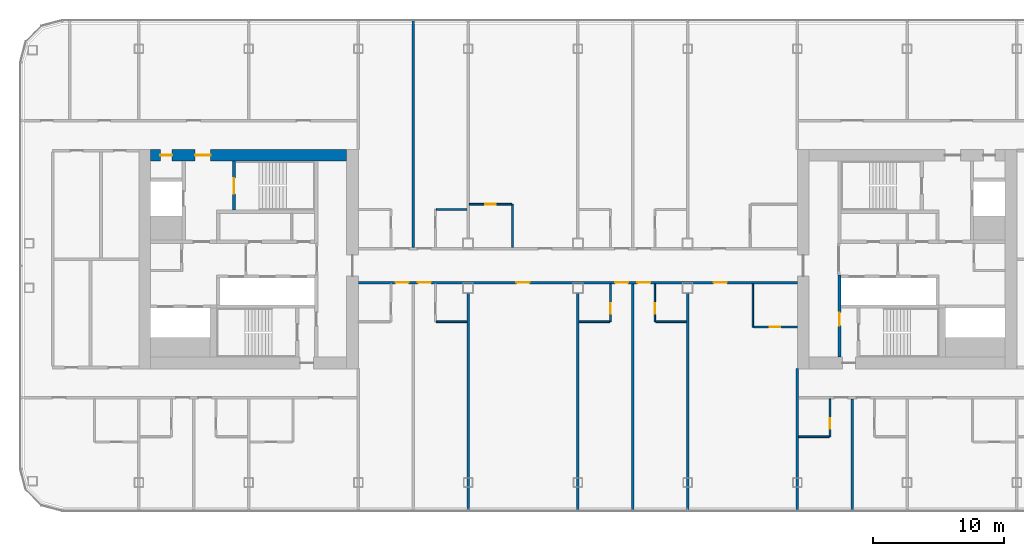
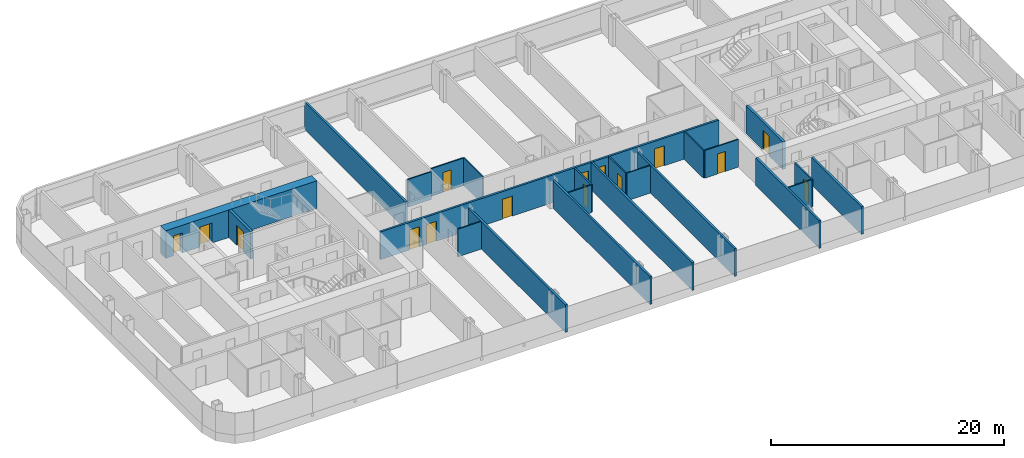
# One storey, part 14 of 26: 23 walls, 15 doors, 15 openings.
"""IFC4 building model written with IfcOpenShell, lengths in metres."""

from ifc_helpers import new_model, si_unit, direction, frame, frame_2d, origin, place, context, subcontext, project, spatial, rectangle, extrude, material, layer, layer_set, type_object, element, fill, save


model = new_model("IFC4")

# Units and contexts
model_context = context("Model", 3, precision=1e-05, world=origin(), true_north=direction((0.0, 1.0)))
body_context = subcontext(model_context, "Body", "Model", "MODEL_VIEW")
ifc_project = project(units=[si_unit("LENGTHUNIT", "METRE"), si_unit("AREAUNIT", "SQUARE_METRE"), si_unit("VOLUMEUNIT", "CUBIC_METRE"), si_unit("PLANEANGLEUNIT", "RADIAN"), si_unit("MASSUNIT", "GRAM", prefix="KILO")], contexts=[model_context])

# Site, building, storey
site_placement = place(None, origin())
site = spatial("IfcSite", under=ifc_project, at=site_placement, CompositionType="ELEMENT")
building_placement = place(site_placement, origin())
building = spatial("IfcBuilding", under=site, at=building_placement, Name="Hakoniwa Tower and Hamabe Station Hall", CompositionType="ELEMENT")
storey_placement = place(building_placement, frame((0.0, 0.0, 172.60009765625)))
storey = spatial("IfcBuildingStorey", under=building, at=storey_placement, Name="L49", CompositionType="ELEMENT", Elevation=172.60009765625)

# Wall
ifc_material_1 = material(Name="Gypsum board partition", Category="gypsum")
ifc_layer_1 = layer(ifc_material_1, 0.125)
ifc_layer_set_1 = layer_set([ifc_layer_1], Name="Bathroom Partition 125")
wall_type_1 = type_object("IfcWallType", Name="Bathroom Partition 125", PredefinedType="PARTITIONING", material=ifc_layer_set_1)
wall_1_placement = place(storey_placement, frame((16.89990234375, -13.60009765625, 0.0), z_axis=(0.0, 0.0, 1.0), x_axis=(1.0, 0.0, 0.0)))
element("IfcWall", 1, at=wall_1_placement, inside=storey, type_object=wall_type_1, Name="GW-L49-006", PredefinedType="PARTITIONING", context=body_context, shape_type="SweptSolid", body=[
    extrude(rectangle(XDim=2.337646484375, YDim=0.125, at=frame_2d((1.1689453125, 0.0))), origin(), (0.0, 0.0, 1.0), 2.89990234375),
])

# Wall, opening, door
wall_2_placement = place(storey_placement, frame((13.46240234375, -5.199951171875, 0.0), z_axis=(0.0, 0.0, 1.0), x_axis=(1.0, 0.0, 0.0)))
wall_2 = element("IfcWall", 2, at=wall_2_placement, inside=storey, type_object=wall_type_1, Name="GW-L49-014", PredefinedType="PARTITIONING", context=body_context, shape_type="SweptSolid", body=[
    extrude(rectangle(XDim=3.34765625, YDim=0.125, at=frame_2d((1.673828125, 0.0))), origin(), (0.0, 0.0, 1.0), 2.89990234375),
])
opening_1_placement = place(wall_2_placement, frame((1.237548828125, 0.0, 0.0)))
opening_1 = element("IfcOpeningElement", 3, at=opening_1_placement, cuts=wall_2, Name="Opening GD-G3D2-17", PredefinedType="OPENING", context=body_context, shape_type="SweptSolid", body=[
    extrude(rectangle(XDim=0.800048828125, YDim=2.10009765625, at=frame_2d((0.39990234375, 1.050048828125))), frame((0.0, 0.072509765625, 0.0), z_axis=(0.0, -1.0, 0.0), x_axis=(1.0, 0.0, 0.0)), (0.0, 0.0, 1.0), 0.14501953125),
])
ifc_material_2 = material(Name="Timber door leaf", Category="wood")
door_type_1 = type_object("IfcDoorType", Name="Bathroom Door 800", OperationType="SINGLE_SWING_LEFT", PredefinedType="DOOR", material=ifc_material_2)
door_1_placement = place(opening_1_placement, origin())
door_1 = element("IfcDoor", 4, at=door_1_placement, inside=storey, type_object=door_type_1, Name="Door GD-G3D2-17", OperationType="SINGLE_SWING_RIGHT", OverallHeight=2.10009765625, OverallWidth=0.800048828125, PredefinedType="DOOR", context=body_context, shape_type="SweptSolid", body=[
    extrude(rectangle(XDim=0.800048828125, YDim=2.10009765625, at=frame_2d((0.39990234375, 1.050048828125))), frame((0.0, 0.02490234375, 0.0), z_axis=(0.0, -1.0, 0.0), x_axis=(1.0, 0.0, 0.0)), (0.0, 0.0, 1.0), 0.050048828125),
])
fill(opening_1, door_1)

# Walls
for number, where, z_axis, x_axis, name in (
    (5, (-10.83740234375, -4.800048828125, 0.0), (0.0, 0.0, 1.0), (1.0, 0.0, 0.0), "GW-L49-016"),
    (6, (0.10009765625, -4.800048828125, 0.0), (0.0, 0.0, 1.0), (1.0, 0.0, 0.0), "GW-L49-017"),
):
    element("IfcWall", number, at=place(storey_placement, frame(where, z_axis=z_axis, x_axis=x_axis)), inside=storey, type_object=wall_type_1, Name=name, PredefinedType="PARTITIONING", context=body_context, shape_type="SweptSolid", body=[
        extrude(rectangle(XDim=2.33740234375, YDim=0.125, at=frame_2d((1.168701171875, 0.0))), origin(), (0.0, 0.0, 1.0), 2.89990234375),
    ])
wall_3_placement = place(storey_placement, frame((5.96240234375, -4.800048828125, 0.0), z_axis=(0.0, 0.0, 1.0), x_axis=(1.0, 0.0, 0.0)))
element("IfcWall", 7, at=wall_3_placement, inside=storey, type_object=wall_type_1, Name="GW-L49-018", PredefinedType="PARTITIONING", context=body_context, shape_type="SweptSolid", body=[
    extrude(rectangle(XDim=2.337646484375, YDim=0.125, at=frame_2d((1.1689453125, 0.0))), origin(), (0.0, 0.0, 1.0), 2.89990234375),
])
wall_4_placement = place(storey_placement, frame((-10.83740234375, 3.800048828125, 0.0), z_axis=(0.0, 0.0, 1.0), x_axis=(1.0, 0.0, 0.0)))
element("IfcWall", 8, at=wall_4_placement, inside=storey, type_object=wall_type_1, Name="GW-L49-024", PredefinedType="PARTITIONING", context=body_context, shape_type="SweptSolid", body=[
    extrude(rectangle(XDim=2.33740234375, YDim=0.125, at=frame_2d((1.168701171875, 0.0))), origin(), (0.0, 0.0, 1.0), 2.89990234375),
])

# Wall, opening, door
wall_5_placement = place(storey_placement, frame((-8.300048828125, 4.199951171875, 0.0), z_axis=(0.0, 0.0, 1.0), x_axis=(1.0, 0.0, 0.0)))
wall_5 = element("IfcWall", 9, at=wall_5_placement, inside=storey, type_object=wall_type_1, Name="GW-L49-027", PredefinedType="PARTITIONING", context=body_context, shape_type="SweptSolid", body=[
    extrude(rectangle(XDim=3.237548828125, YDim=0.125, at=frame_2d((1.61865234375, 0.0))), origin(), (0.0, 0.0, 1.0), 2.89990234375),
])
opening_2_placement = place(wall_5_placement, frame((1.199951171875, 0.0, 0.0)))
opening_2 = element("IfcOpeningElement", 10, at=opening_2_placement, cuts=wall_5, Name="Opening GD-G3D2-30", PredefinedType="OPENING", context=body_context, shape_type="SweptSolid", body=[
    extrude(rectangle(XDim=0.800048828125, YDim=2.10009765625, at=frame_2d((0.39990234375, 1.050048828125))), frame((0.0, 0.072509765625, 0.0), z_axis=(0.0, -1.0, 0.0), x_axis=(1.0, 0.0, 0.0)), (0.0, 0.0, 1.0), 0.14501953125),
])
door_2_placement = place(opening_2_placement, origin())
door_2 = element("IfcDoor", 11, at=door_2_placement, inside=storey, type_object=door_type_1, Name="Door GD-G3D2-30", OperationType="SINGLE_SWING_LEFT", OverallHeight=2.10009765625, OverallWidth=0.800048828125, PredefinedType="DOOR", context=body_context, shape_type="SweptSolid", body=[
    extrude(rectangle(XDim=0.800048828125, YDim=2.10009765625, at=frame_2d((0.39990234375, 1.050048828125))), frame((0.0, 0.02490234375, 0.0), z_axis=(0.0, -1.0, 0.0), x_axis=(1.0, 0.0, 0.0)), (0.0, 0.0, 1.0), 0.050048828125),
])
fill(opening_2, door_2)

# Wall
wall_6_placement = place(storey_placement, frame((-5.0, 0.89990234375, 0.0), z_axis=(0.0, 0.0, 1.0), x_axis=(0.0, 1.0, 0.0)))
element("IfcWall", 12, at=wall_6_placement, inside=storey, type_object=wall_type_1, Name="GW-L49-056", PredefinedType="PARTITIONING", context=body_context, shape_type="SweptSolid", body=[
    extrude(rectangle(XDim=3.300048828125, YDim=0.125, at=frame_2d((1.64990234375, 0.0))), origin(), (0.0, 0.0, 1.0), 2.89990234375),
])

# Wall, opening, door
wall_7_placement = place(storey_placement, frame((2.5, -4.800048828125, 0.0), z_axis=(0.0, 0.0, 1.0), x_axis=(0.0, 1.0, 0.0)))
wall_7 = element("IfcWall", 13, at=wall_7_placement, inside=storey, type_object=wall_type_1, Name="GW-L49-059", PredefinedType="PARTITIONING", context=body_context, shape_type="SweptSolid", body=[
    extrude(rectangle(XDim=2.900146484375, YDim=0.125, at=frame_2d((1.4501953125, 0.0))), origin(), (0.0, 0.0, 1.0), 2.89990234375),
])
opening_3_placement = place(wall_7_placement, frame((0.60009765625, 0.0, 0.0)))
opening_3 = element("IfcOpeningElement", 14, at=opening_3_placement, cuts=wall_7, Name="Opening GD-G3D2-48", PredefinedType="OPENING", context=body_context, shape_type="SweptSolid", body=[
    extrude(rectangle(XDim=0.800048828125, YDim=2.10009765625, at=frame_2d((0.39990234375, 1.050048828125))), frame((0.0, 0.072509765625, 0.0), z_axis=(0.0, -1.0, 0.0), x_axis=(1.0, 0.0, 0.0)), (0.0, 0.0, 1.0), 0.14501953125),
])
door_3_placement = place(opening_3_placement, origin())
door_3 = element("IfcDoor", 15, at=door_3_placement, inside=storey, type_object=door_type_1, Name="Door GD-G3D2-48", OperationType="SINGLE_SWING_RIGHT", OverallHeight=2.10009765625, OverallWidth=0.800048828125, PredefinedType="DOOR", context=body_context, shape_type="SweptSolid", body=[
    extrude(rectangle(XDim=0.800048828125, YDim=2.10009765625, at=frame_2d((0.39990234375, 1.050048828125))), frame((0.0, 0.02490234375, 0.0), z_axis=(0.0, -1.0, 0.0), x_axis=(1.0, 0.0, 0.0)), (0.0, 0.0, 1.0), 0.050048828125),
])
fill(opening_3, door_3)

wall_8_placement = place(storey_placement, frame((5.89990234375, -4.800048828125, 0.0), z_axis=(0.0, 0.0, 1.0), x_axis=(0.0, 1.0, 0.0)))
wall_8 = element("IfcWall", 16, at=wall_8_placement, inside=storey, type_object=wall_type_1, Name="GW-L49-063", PredefinedType="PARTITIONING", context=body_context, shape_type="SweptSolid", body=[
    extrude(rectangle(XDim=2.900146484375, YDim=0.125, at=frame_2d((1.4501953125, 0.0))), origin(), (0.0, 0.0, 1.0), 2.89990234375),
])
opening_4_placement = place(wall_8_placement, frame((0.60009765625, 0.0, 0.0)))
opening_4 = element("IfcOpeningElement", 17, at=opening_4_placement, cuts=wall_8, Name="Opening GD-G3D2-50", PredefinedType="OPENING", context=body_context, shape_type="SweptSolid", body=[
    extrude(rectangle(XDim=0.800048828125, YDim=2.10009765625, at=frame_2d((0.39990234375, 1.050048828125))), frame((0.0, 0.072509765625, 0.0), z_axis=(0.0, -1.0, 0.0), x_axis=(1.0, 0.0, 0.0)), (0.0, 0.0, 1.0), 0.14501953125),
])
door_4_placement = place(opening_4_placement, origin())
door_4 = element("IfcDoor", 18, at=door_4_placement, inside=storey, type_object=door_type_1, Name="Door GD-G3D2-50", OperationType="SINGLE_SWING_LEFT", OverallHeight=2.10009765625, OverallWidth=0.800048828125, PredefinedType="DOOR", context=body_context, shape_type="SweptSolid", body=[
    extrude(rectangle(XDim=0.800048828125, YDim=2.10009765625, at=frame_2d((0.39990234375, 1.050048828125))), frame((0.0, 0.02490234375, 0.0), z_axis=(0.0, -1.0, 0.0), x_axis=(1.0, 0.0, 0.0)), (0.0, 0.0, 1.0), 0.050048828125),
])
fill(opening_4, door_4)

# Wall
wall_9_placement = place(storey_placement, frame((13.39990234375, -5.199951171875, 0.0), z_axis=(0.0, 0.0, 1.0), x_axis=(0.0, 1.0, 0.0)))
element("IfcWall", 19, at=wall_9_placement, inside=storey, type_object=wall_type_1, Name="GW-L49-068", PredefinedType="PARTITIONING", context=body_context, shape_type="SweptSolid", body=[
    extrude(rectangle(XDim=3.300048828125, YDim=0.125, at=frame_2d((1.64990234375, 0.0))), origin(), (0.0, 0.0, 1.0), 2.89990234375),
])

# Wall, opening, door
wall_10_placement = place(storey_placement, frame((19.300048828125, -13.60009765625, 0.0), z_axis=(0.0, 0.0, 1.0), x_axis=(0.0, 1.0, 0.0)))
wall_10 = element("IfcWall", 20, at=wall_10_placement, inside=storey, type_object=wall_type_1, Name="GW-L49-071", PredefinedType="PARTITIONING", context=body_context, shape_type="SweptSolid", body=[
    extrude(rectangle(XDim=2.900146484375, YDim=0.125, at=frame_2d((1.4501953125, 0.0))), origin(), (0.0, 0.0, 1.0), 2.89990234375),
])
opening_5_placement = place(wall_10_placement, frame((0.60009765625, 0.0, 0.0)))
opening_5 = element("IfcOpeningElement", 21, at=opening_5_placement, cuts=wall_10, Name="Opening GD-G3D2-53", PredefinedType="OPENING", context=body_context, shape_type="SweptSolid", body=[
    extrude(rectangle(XDim=0.800048828125, YDim=2.10009765625, at=frame_2d((0.39990234375, 1.050048828125))), frame((0.0, 0.072509765625, 0.0), z_axis=(0.0, -1.0, 0.0), x_axis=(1.0, 0.0, 0.0)), (0.0, 0.0, 1.0), 0.14501953125),
])
door_5_placement = place(opening_5_placement, origin())
door_5 = element("IfcDoor", 22, at=door_5_placement, inside=storey, type_object=door_type_1, Name="Door GD-G3D2-53", OperationType="SINGLE_SWING_RIGHT", OverallHeight=2.10009765625, OverallWidth=0.800048828125, PredefinedType="DOOR", context=body_context, shape_type="SweptSolid", body=[
    extrude(rectangle(XDim=0.800048828125, YDim=2.10009765625, at=frame_2d((0.39990234375, 1.050048828125))), frame((0.0, 0.02490234375, 0.0), z_axis=(0.0, -1.0, 0.0), x_axis=(1.0, 0.0, 0.0)), (0.0, 0.0, 1.0), 0.050048828125),
])
fill(opening_5, door_5)

# Wall, openings, doors
ifc_material_3 = material(Name="Concrete C66", Category="concrete")
ifc_layer_2 = layer(ifc_material_3, 0.89990234375)
ifc_layer_set_2 = layer_set([ifc_layer_2], Name="CORE WALL 900 C66")
wall_type_2 = type_object("IfcWallType", Name="CORE WALL 900 C66", PredefinedType="SHEAR", material=ifc_layer_set_2)
wall_11_placement = place(storey_placement, frame((-32.699951171875, 7.949951171875, 0.0), z_axis=(0.0, 0.0, 1.0), x_axis=(1.0, 0.0, 0.0)))
wall_11 = element("IfcWall", 23, at=wall_11_placement, inside=storey, type_object=wall_type_2, Name="Core wall NORTH west", PredefinedType="SHEAR", context=body_context, shape_type="SweptSolid", body=[
    extrude(rectangle(XDim=15.0, YDim=0.89990234375, at=frame_2d((7.5, 0.0))), origin(), (0.0, 0.0, 1.0), 2.89990234375),
])
opening_6_placement = place(wall_11_placement, frame((3.39990234375, 0.0, 0.0)))
opening_6 = element("IfcOpeningElement", 24, at=opening_6_placement, cuts=wall_11, Name="Opening CD-W-FN1-12", PredefinedType="OPENING", context=body_context, shape_type="SweptSolid", body=[
    extrude(rectangle(XDim=1.199951171875, YDim=2.10009765625, at=frame_2d((0.60009765625, 1.050048828125))), frame((0.0, 0.4599609375, 0.0), z_axis=(0.0, -1.0, 0.0), x_axis=(1.0, 0.0, 0.0)), (0.0, 0.0, 1.0), 0.919921875),
])
opening_7_placement = place(wall_11_placement, frame((0.75, 0.0, 0.0)))
opening_7 = element("IfcOpeningElement", 25, at=opening_7_placement, cuts=wall_11, Name="Opening CD-W-FN2-9", PredefinedType="OPENING", context=body_context, shape_type="SweptSolid", body=[
    extrude(rectangle(XDim=0.89990234375, YDim=2.10009765625, at=frame_2d((0.449951171875, 1.050048828125))), frame((0.0, 0.4599609375, 0.0), z_axis=(0.0, -1.0, 0.0), x_axis=(1.0, 0.0, 0.0)), (0.0, 0.0, 1.0), 0.919921875),
])
ifc_material_4 = material(Name="Steel fire door", Category="steel")
door_type_2 = type_object("IfcDoorType", Name="CORE DOOR 1200 FD60", OperationType="DOUBLE_DOOR_SINGLE_SWING", PredefinedType="DOOR", material=ifc_material_4)
door_6_placement = place(opening_6_placement, origin())
door_6 = element("IfcDoor", 26, at=door_6_placement, inside=storey, type_object=door_type_2, Name="Stair vestibule door to the fire-fighting lobby", OperationType="DOUBLE_DOOR_SINGLE_SWING", OverallHeight=2.10009765625, OverallWidth=1.199951171875, PredefinedType="DOOR", context=body_context, shape_type="SweptSolid", body=[
    extrude(rectangle(XDim=1.199951171875, YDim=2.10009765625, at=frame_2d((0.60009765625, 1.050048828125))), frame((0.0, 0.02490234375, 0.0), z_axis=(0.0, -1.0, 0.0), x_axis=(1.0, 0.0, 0.0)), (0.0, 0.0, 1.0), 0.050048828125),
])
fill(opening_6, door_6)
ifc_material_5 = material(Name="Steel fire door", Category="steel")
door_type_3 = type_object("IfcDoorType", Name="CORE DOOR 900 FD30", OperationType="NOTDEFINED", PredefinedType="DOOR", material=ifc_material_5)
door_7_placement = place(opening_7_placement, origin())
door_7 = element("IfcDoor", 27, at=door_7_placement, inside=storey, type_object=door_type_3, Name="Riser access door", OperationType="SINGLE_SWING_RIGHT", OverallHeight=2.10009765625, OverallWidth=0.89990234375, PredefinedType="DOOR", context=body_context, shape_type="SweptSolid", body=[
    extrude(rectangle(XDim=0.89990234375, YDim=2.10009765625, at=frame_2d((0.449951171875, 1.050048828125))), frame((0.0, 0.02490234375, 0.0), z_axis=(0.0, -1.0, 0.0), x_axis=(1.0, 0.0, 0.0)), (0.0, 0.0, 1.0), 0.050048828125),
])
fill(opening_7, door_7)

# Wall, opening, door
ifc_material_6 = material(Name="Concrete C66", Category="concrete")
ifc_layer_3 = layer(ifc_material_6, 0.25)
ifc_layer_set_3 = layer_set([ifc_layer_3], Name="CORE WEB WALL 250 C66")
wall_type_3 = type_object("IfcWallType", Name="CORE WEB WALL 250 C66", PredefinedType="SHEAR", material=ifc_layer_set_3)
wall_12_placement = place(storey_placement, frame((-26.324951171875, 3.75, 0.0), z_axis=(0.0, 0.0, 1.0), x_axis=(0.0, 1.0, 0.0)))
wall_12 = element("IfcWall", 28, at=wall_12_placement, inside=storey, type_object=wall_type_3, Name="Core wall NSE west", PredefinedType="SHEAR", context=body_context, shape_type="SweptSolid", body=[
    extrude(rectangle(XDim=3.75, YDim=0.25, at=frame_2d((1.875, 0.0))), origin(), (0.0, 0.0, 1.0), 2.89990234375),
])
opening_8_placement = place(wall_12_placement, frame((1.25, 0.0, 0.0)))
opening_8 = element("IfcOpeningElement", 29, at=opening_8_placement, cuts=wall_12, Name="Opening CD-W-SN-12", PredefinedType="OPENING", context=body_context, shape_type="SweptSolid", body=[
    extrude(rectangle(XDim=1.199951171875, YDim=2.10009765625, at=frame_2d((0.60009765625, 1.050048828125))), frame((0.0, 0.135009765625, 0.0), z_axis=(0.0, -1.0, 0.0), x_axis=(1.0, 0.0, 0.0)), (0.0, 0.0, 1.0), 0.27001953125),
])
door_8_placement = place(opening_8_placement, origin())
door_8 = element("IfcDoor", 30, at=door_8_placement, inside=storey, type_object=door_type_2, Name="Escape stair door", OperationType="DOUBLE_DOOR_SINGLE_SWING", OverallHeight=2.10009765625, OverallWidth=1.199951171875, PredefinedType="DOOR", context=body_context, shape_type="SweptSolid", body=[
    extrude(rectangle(XDim=1.199951171875, YDim=2.10009765625, at=frame_2d((0.60009765625, 1.050048828125))), frame((0.0, 0.02490234375, 0.0), z_axis=(0.0, -1.0, 0.0), x_axis=(1.0, 0.0, 0.0)), (0.0, 0.0, 1.0), 0.050048828125),
])
fill(opening_8, door_8)

wall_13_placement = place(storey_placement, frame((20.02490234375, -7.5, 0.0), z_axis=(0.0, 0.0, 1.0), x_axis=(0.0, 1.0, 0.0)))
wall_13 = element("IfcWall", 31, at=wall_13_placement, inside=storey, type_object=wall_type_3, Name="Core wall W1S east", PredefinedType="SHEAR", context=body_context, shape_type="SweptSolid", body=[
    extrude(rectangle(XDim=6.300048828125, YDim=0.25, at=frame_2d((3.14990234375, 0.0))), origin(), (0.0, 0.0, 1.0), 2.89990234375),
])
opening_9_placement = place(wall_13_placement, frame((2.39990234375, 0.0, 0.0)))
opening_9 = element("IfcOpeningElement", 32, at=opening_9_placement, cuts=wall_13, Name="Opening CD-E-VS-10", PredefinedType="OPENING", context=body_context, shape_type="SweptSolid", body=[
    extrude(rectangle(XDim=1.0, YDim=2.10009765625, at=frame_2d((0.5, 1.050048828125))), frame((0.0, 0.135009765625, 0.0), z_axis=(0.0, -1.0, 0.0), x_axis=(1.0, 0.0, 0.0)), (0.0, 0.0, 1.0), 0.27001953125),
])
ifc_material_7 = material(Name="Steel fire door", Category="steel")
door_type_4 = type_object("IfcDoorType", Name="CORE DOOR 1000 FD60", OperationType="NOTDEFINED", PredefinedType="DOOR", material=ifc_material_7)
door_9_placement = place(opening_9_placement, origin())
door_9 = element("IfcDoor", 33, at=door_9_placement, inside=storey, type_object=door_type_4, Name="Stair vestibule door", OperationType="SINGLE_SWING_RIGHT", OverallHeight=2.10009765625, OverallWidth=1.0, PredefinedType="DOOR", context=body_context, shape_type="SweptSolid", body=[
    extrude(rectangle(XDim=1.0, YDim=2.10009765625, at=frame_2d((0.5, 1.050048828125))), frame((0.0, 0.02490234375, 0.0), z_axis=(0.0, -1.0, 0.0), x_axis=(1.0, 0.0, 0.0)), (0.0, 0.0, 1.0), 0.050048828125),
])
fill(opening_9, door_9)

# Wall, openings, doors
ifc_material_8 = material(Name="Fire-rated gypsum board partition", Category="gypsum")
ifc_layer_4 = layer(ifc_material_8, 0.199951171875)
ifc_layer_set_4 = layer_set([ifc_layer_4], Name="Corridor Wall 200")
wall_type_4 = type_object("IfcWallType", Name="Corridor Wall 200", PredefinedType="PARTITIONING", material=ifc_layer_set_4)
wall_14_placement = place(storey_placement, frame((-16.800048828125, -1.800048828125, 0.0), z_axis=(0.0, 0.0, 1.0), x_axis=(1.0, 0.0, 0.0)))
wall_14 = element("IfcWall", 34, at=wall_14_placement, inside=storey, type_object=wall_type_4, Name="GW-L49-019", PredefinedType="PARTITIONING", context=body_context, shape_type="SweptSolid", body=[
    extrude(rectangle(XDim=33.60009765625, YDim=0.199951171875, at=frame_2d((16.800048828125, 0.0))), origin(), (0.0, 0.0, 1.0), 2.89990234375),
])
opening_10_placement = place(wall_14_placement, frame((2.85009765625, 0.0, 0.0)))
opening_10 = element("IfcOpeningElement", 35, at=opening_10_placement, cuts=wall_14, Name="Opening GD-G3D2-18", PredefinedType="OPENING", context=body_context, shape_type="SweptSolid", body=[
    extrude(rectangle(XDim=1.0, YDim=2.10009765625, at=frame_2d((0.5, 1.050048828125))), frame((0.0, 0.10986328125, 0.0), z_axis=(0.0, -1.0, 0.0), x_axis=(1.0, 0.0, 0.0)), (0.0, 0.0, 1.0), 0.219970703125),
])
opening_11_placement = place(wall_14_placement, frame((4.550048828125, 0.0, 0.0)))
opening_11 = element("IfcOpeningElement", 36, at=opening_11_placement, cuts=wall_14, Name="Opening GD-G3D2-19", PredefinedType="OPENING", context=body_context, shape_type="SweptSolid", body=[
    extrude(rectangle(XDim=1.0, YDim=2.10009765625, at=frame_2d((0.5, 1.050048828125))), frame((0.0, 0.10986328125, 0.0), z_axis=(0.0, -1.0, 0.0), x_axis=(1.0, 0.0, 0.0)), (0.0, 0.0, 1.0), 0.219970703125),
])
opening_12_placement = place(wall_14_placement, frame((12.10009765625, 0.0, 0.0)))
opening_12 = element("IfcOpeningElement", 37, at=opening_12_placement, cuts=wall_14, Name="Opening GD-G3D2-20", PredefinedType="OPENING", context=body_context, shape_type="SweptSolid", body=[
    extrude(rectangle(XDim=1.0, YDim=2.10009765625, at=frame_2d((0.5, 1.050048828125))), frame((0.0, 0.10986328125, 0.0), z_axis=(0.0, -1.0, 0.0), x_axis=(1.0, 0.0, 0.0)), (0.0, 0.0, 1.0), 0.219970703125),
])
opening_13_placement = place(wall_14_placement, frame((19.64990234375, 0.0, 0.0)))
opening_13 = element("IfcOpeningElement", 38, at=opening_13_placement, cuts=wall_14, Name="Opening GD-G3D2-21", PredefinedType="OPENING", context=body_context, shape_type="SweptSolid", body=[
    extrude(rectangle(XDim=1.0, YDim=2.10009765625, at=frame_2d((0.5, 1.050048828125))), frame((0.0, 0.10986328125, 0.0), z_axis=(0.0, -1.0, 0.0), x_axis=(1.0, 0.0, 0.0)), (0.0, 0.0, 1.0), 0.219970703125),
])
opening_14_placement = place(wall_14_placement, frame((21.35009765625, 0.0, 0.0)))
opening_14 = element("IfcOpeningElement", 39, at=opening_14_placement, cuts=wall_14, Name="Opening GD-G3D2-22", PredefinedType="OPENING", context=body_context, shape_type="SweptSolid", body=[
    extrude(rectangle(XDim=1.0, YDim=2.10009765625, at=frame_2d((0.5, 1.050048828125))), frame((0.0, 0.10986328125, 0.0), z_axis=(0.0, -1.0, 0.0), x_axis=(1.0, 0.0, 0.0)), (0.0, 0.0, 1.0), 0.219970703125),
])
opening_15_placement = place(wall_14_placement, frame((27.199951171875, 0.0, 0.0)))
opening_15 = element("IfcOpeningElement", 40, at=opening_15_placement, cuts=wall_14, Name="Opening GD-G3D2-23", PredefinedType="OPENING", context=body_context, shape_type="SweptSolid", body=[
    extrude(rectangle(XDim=1.0, YDim=2.10009765625, at=frame_2d((0.5, 1.050048828125))), frame((0.0, 0.10986328125, 0.0), z_axis=(0.0, -1.0, 0.0), x_axis=(1.0, 0.0, 0.0)), (0.0, 0.0, 1.0), 0.219970703125),
])
ifc_material_9 = material(Name="Timber door leaf", Category="wood")
door_type_5 = type_object("IfcDoorType", Name="Guest Entrance Door 1000", OperationType="SINGLE_SWING_LEFT", PredefinedType="DOOR", material=ifc_material_9)
door_10_placement = place(opening_10_placement, origin())
door_10 = element("IfcDoor", 41, at=door_10_placement, inside=storey, type_object=door_type_5, Name="Door GD-G3D2-18", OperationType="SINGLE_SWING_LEFT", OverallHeight=2.10009765625, OverallWidth=1.0, PredefinedType="DOOR", context=body_context, shape_type="SweptSolid", body=[
    extrude(rectangle(XDim=1.0, YDim=2.10009765625, at=frame_2d((0.5, 1.050048828125))), frame((0.0, 0.02490234375, 0.0), z_axis=(0.0, -1.0, 0.0), x_axis=(1.0, 0.0, 0.0)), (0.0, 0.0, 1.0), 0.050048828125),
])
fill(opening_10, door_10)
door_11_placement = place(opening_11_placement, origin())
door_11 = element("IfcDoor", 42, at=door_11_placement, inside=storey, type_object=door_type_5, Name="Door GD-G3D2-19", OperationType="SINGLE_SWING_RIGHT", OverallHeight=2.10009765625, OverallWidth=1.0, PredefinedType="DOOR", context=body_context, shape_type="SweptSolid", body=[
    extrude(rectangle(XDim=1.0, YDim=2.10009765625, at=frame_2d((0.5, 1.050048828125))), frame((0.0, 0.02490234375, 0.0), z_axis=(0.0, -1.0, 0.0), x_axis=(1.0, 0.0, 0.0)), (0.0, 0.0, 1.0), 0.050048828125),
])
fill(opening_11, door_11)
door_12_placement = place(opening_12_placement, origin())
door_12 = element("IfcDoor", 43, at=door_12_placement, inside=storey, type_object=door_type_5, Name="Door GD-G3D2-20", OperationType="SINGLE_SWING_RIGHT", OverallHeight=2.10009765625, OverallWidth=1.0, PredefinedType="DOOR", context=body_context, shape_type="SweptSolid", body=[
    extrude(rectangle(XDim=1.0, YDim=2.10009765625, at=frame_2d((0.5, 1.050048828125))), frame((0.0, 0.02490234375, 0.0), z_axis=(0.0, -1.0, 0.0), x_axis=(1.0, 0.0, 0.0)), (0.0, 0.0, 1.0), 0.050048828125),
])
fill(opening_12, door_12)
door_13_placement = place(opening_13_placement, origin())
door_13 = element("IfcDoor", 44, at=door_13_placement, inside=storey, type_object=door_type_5, Name="Door GD-G3D2-21", OperationType="SINGLE_SWING_LEFT", OverallHeight=2.10009765625, OverallWidth=1.0, PredefinedType="DOOR", context=body_context, shape_type="SweptSolid", body=[
    extrude(rectangle(XDim=1.0, YDim=2.10009765625, at=frame_2d((0.5, 1.050048828125))), frame((0.0, 0.02490234375, 0.0), z_axis=(0.0, -1.0, 0.0), x_axis=(1.0, 0.0, 0.0)), (0.0, 0.0, 1.0), 0.050048828125),
])
fill(opening_13, door_13)
door_14_placement = place(opening_14_placement, origin())
door_14 = element("IfcDoor", 45, at=door_14_placement, inside=storey, type_object=door_type_5, Name="Door GD-G3D2-22", OperationType="SINGLE_SWING_RIGHT", OverallHeight=2.10009765625, OverallWidth=1.0, PredefinedType="DOOR", context=body_context, shape_type="SweptSolid", body=[
    extrude(rectangle(XDim=1.0, YDim=2.10009765625, at=frame_2d((0.5, 1.050048828125))), frame((0.0, 0.02490234375, 0.0), z_axis=(0.0, -1.0, 0.0), x_axis=(1.0, 0.0, 0.0)), (0.0, 0.0, 1.0), 0.050048828125),
])
fill(opening_14, door_14)
door_15_placement = place(opening_15_placement, origin())
door_15 = element("IfcDoor", 46, at=door_15_placement, inside=storey, type_object=door_type_5, Name="Door GD-G3D2-23", OperationType="SINGLE_SWING_LEFT", OverallHeight=2.10009765625, OverallWidth=1.0, PredefinedType="DOOR", context=body_context, shape_type="SweptSolid", body=[
    extrude(rectangle(XDim=1.0, YDim=2.10009765625, at=frame_2d((0.5, 1.050048828125))), frame((0.0, 0.02490234375, 0.0), z_axis=(0.0, -1.0, 0.0), x_axis=(1.0, 0.0, 0.0)), (0.0, 0.0, 1.0), 0.050048828125),
])
fill(opening_15, door_15)

# Walls
ifc_material_10 = material(Name="Fire-rated gypsum board partition", Category="gypsum")
ifc_layer_5 = layer(ifc_material_10, 0.199951171875)
ifc_layer_set_5 = layer_set([ifc_layer_5], Name="Party Wall 200")
wall_type_5 = type_object("IfcWallType", Name="Party Wall 200", PredefinedType="PARTITIONING", material=ifc_layer_set_5)
wall_15_placement = place(storey_placement, frame((-12.60009765625, 0.89990234375, 0.0), z_axis=(0.0, 0.0, 1.0), x_axis=(0.0, 1.0, 0.0)))
element("IfcWall", 47, at=wall_15_placement, inside=storey, type_object=wall_type_5, Name="GW-L49-051", PredefinedType="PARTITIONING", context=body_context, shape_type="SweptSolid", body=[
    extrude(rectangle(XDim=17.400146484375, YDim=0.199951171875, at=frame_2d((8.7001953125, 0.0))), origin(), (0.0, 0.0, 1.0), 2.89990234375),
])
for number, where, z_axis, x_axis, name in (
    (48, (-8.39990234375, -19.300048828125, 0.0), (0.0, 0.0, 1.0), (0.0, 1.0, 0.0), "GW-L49-054"),
    (49, (0.0, -19.300048828125, 0.0), (0.0, 0.0, 1.0), (0.0, 1.0, 0.0), "GW-L49-057"),
):
    element("IfcWall", number, at=place(storey_placement, frame(where, z_axis=z_axis, x_axis=x_axis)), inside=storey, type_object=wall_type_5, Name=name, PredefinedType="PARTITIONING", context=body_context, shape_type="SweptSolid", body=[
        extrude(rectangle(XDim=16.7099609375, YDim=0.199951171875, at=frame_2d((8.35498046875, 0.0))), origin(), (0.0, 0.0, 1.0), 2.89990234375),
    ])
wall_16_placement = place(storey_placement, frame((4.199951171875, -19.300048828125, 0.0), z_axis=(0.0, 0.0, 1.0), x_axis=(0.0, 1.0, 0.0)))
element("IfcWall", 50, at=wall_16_placement, inside=storey, type_object=wall_type_5, Name="GW-L49-061", PredefinedType="PARTITIONING", context=body_context, shape_type="SweptSolid", body=[
    extrude(rectangle(XDim=17.400146484375, YDim=0.199951171875, at=frame_2d((8.7001953125, 0.0))), origin(), (0.0, 0.0, 1.0), 2.89990234375),
])
wall_17_placement = place(storey_placement, frame((8.39990234375, -19.300048828125, 0.0), z_axis=(0.0, 0.0, 1.0), x_axis=(0.0, 1.0, 0.0)))
element("IfcWall", 51, at=wall_17_placement, inside=storey, type_object=wall_type_5, Name="GW-L49-065", PredefinedType="PARTITIONING", context=body_context, shape_type="SweptSolid", body=[
    extrude(rectangle(XDim=16.7099609375, YDim=0.199951171875, at=frame_2d((8.35498046875, 0.0))), origin(), (0.0, 0.0, 1.0), 2.89990234375),
])
wall_18_placement = place(storey_placement, frame((16.800048828125, -19.300048828125, 0.0), z_axis=(0.0, 0.0, 1.0), x_axis=(0.0, 1.0, 0.0)))
element("IfcWall", 52, at=wall_18_placement, inside=storey, type_object=wall_type_5, Name="GW-L49-069", PredefinedType="PARTITIONING", context=body_context, shape_type="SweptSolid", body=[
    extrude(rectangle(XDim=10.91015625, YDim=0.199951171875, at=frame_2d((5.455078125, 0.0))), origin(), (0.0, 0.0, 1.0), 2.89990234375),
])
wall_19_placement = place(storey_placement, frame((21.0, -19.300048828125, 0.0), z_axis=(0.0, 0.0, 1.0), x_axis=(0.0, 1.0, 0.0)))
element("IfcWall", 53, at=wall_19_placement, inside=storey, type_object=wall_type_5, Name="GW-L49-072", PredefinedType="PARTITIONING", context=body_context, shape_type="SweptSolid", body=[
    extrude(rectangle(XDim=8.60009765625, YDim=0.199951171875, at=frame_2d((4.300048828125, 0.0))), origin(), (0.0, 0.0, 1.0), 2.89990234375),
])

save(model, "model.ifc")
